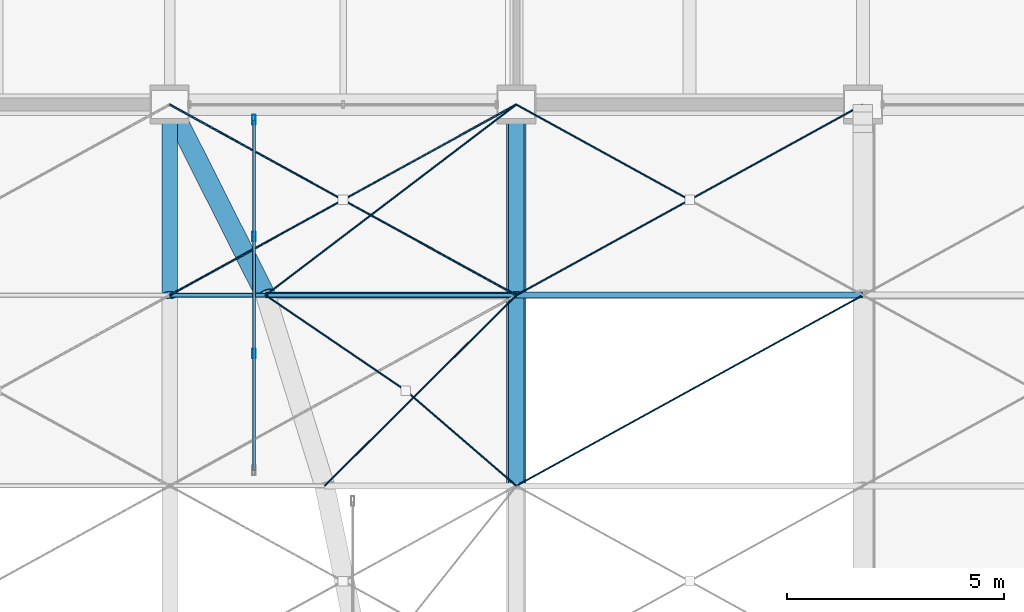
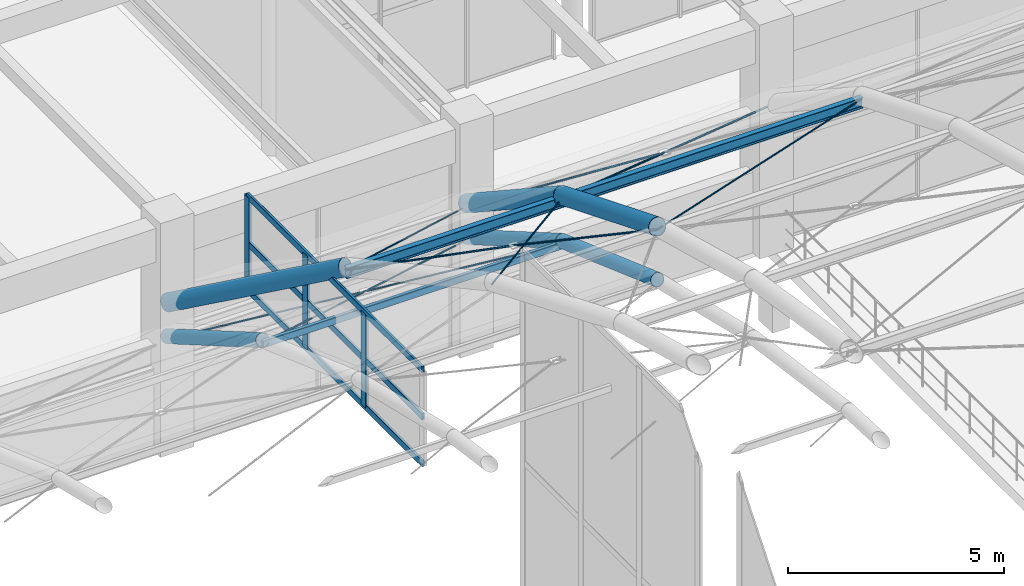
# One storey, part 60 of 163: 16 members, 9 beams, 1 element without a shape of its own.
"""IFC4 building model written with IfcOpenShell, lengths in metres."""

import ifcopenshell
import ifcopenshell.guid

model = None  # the IFC model being written
_history = None  # IfcOwnerHistory: only IFC2X3 demands one
_inside = {}  # id of a spatial element -> (the spatial element, [elements in it])
_under = {}  # id of a project, library or spatial element -> (it, [spatial elements below it])
_declared = {}  # id of a project -> (the project, [libraries it declares])
_typed = {}  # id of a type object -> (the type object, [elements of that type])
_made_of = {}  # id of a material, layer set ... -> (it, [elements and type objects made of it])


def new_model(schema):
    """Start an empty IFC model of exactly this schema.

    Asked for "IFC4X3", IfcOpenShell would pick the latest addendum, in which some entities
    have other attributes; the version numbers below select the first issue.
    IFC2X3 requires an IfcOwnerHistory on every rooted entity: one is made here for all.
    """
    global model, _history
    if schema == "IFC4X3":
        model = ifcopenshell.file(schema_version=(4, 3, 0, 0))
    else:
        model = ifcopenshell.file(schema=schema)
    _inside.clear()
    _under.clear()
    _declared.clear()
    _typed.clear()
    _made_of.clear()
    _history = None
    if model.schema == "IFC2X3":
        org = make("IfcOrganization", Name="unknown")
        user = make(
            "IfcPersonAndOrganization",
            ThePerson=make("IfcPerson", FamilyName="unknown"),
            TheOrganization=org,
        )
        app = make(
            "IfcApplication",
            ApplicationDeveloper=org,
            Version="unknown",
            ApplicationFullName="unknown",
            ApplicationIdentifier="unknown",
        )
        _history = make(
            "IfcOwnerHistory",
            OwningUser=user,
            OwningApplication=app,
            ChangeAction="ADDED",
            CreationDate=0,
        )
    return model


def make(cls, **values):
    """One entity of the class cls with the attributes given. An attribute that is None is left unset."""
    return model.create_entity(
        cls, **{name: value for name, value in values.items() if value is not None}
    )


def rooted(cls, **values):
    """An entity with a GlobalId (a new one), such as an element, a storey or a relation."""
    return make(cls, GlobalId=ifcopenshell.guid.new(), OwnerHistory=_history, **values)


def si_unit(unit_type, name, prefix=None):
    """IfcSIUnit, for example si_unit("LENGTHUNIT", "METRE", prefix="MILLI")."""
    return make("IfcSIUnit", UnitType=unit_type, Prefix=prefix, Name=name)


def assignment(units):
    """IfcUnitAssignment: the units of a project."""
    return None if units is None else make("IfcUnitAssignment", Units=units)


def point(xyz):
    """IfcCartesianPoint."""
    return None if xyz is None else make("IfcCartesianPoint", Coordinates=xyz)


def direction(xyz):
    """IfcDirection."""
    return None if xyz is None else make("IfcDirection", DirectionRatios=xyz)


def frame(location, z_axis=None, x_axis=None):
    """IfcAxis2Placement3D, a coordinate frame: its origin and axes. An axis left out is left unset."""
    return make(
        "IfcAxis2Placement3D",
        Location=point(location),
        Axis=direction(z_axis),
        RefDirection=direction(x_axis),
    )


def frame_2d(location, x_axis=None):
    """IfcAxis2Placement2D, a coordinate frame in the plane: its origin and x axis."""
    return make(
        "IfcAxis2Placement2D", Location=point(location), RefDirection=direction(x_axis)
    )


def origin():
    """The frame at (0, 0, 0) with its axes left unset."""
    return frame((0.0, 0.0, 0.0))


def origin_2d():
    """The frame at (0, 0) in the plane with its x axis left unset."""
    return frame_2d((0.0, 0.0))


def place(relative_to, where):
    """IfcLocalPlacement: puts the frame where relative to a parent placement (None: the world)."""
    return make(
        "IfcLocalPlacement", PlacementRelTo=relative_to, RelativePlacement=where
    )


def context(
    kind, dimensions, precision=None, world=None, true_north=None, identifier=None
):
    """IfcGeometricRepresentationContext, for example the 3D "Model" context."""
    return make(
        "IfcGeometricRepresentationContext",
        ContextIdentifier=identifier,
        ContextType=kind,
        CoordinateSpaceDimension=dimensions,
        Precision=precision,
        WorldCoordinateSystem=world,
        TrueNorth=true_north,
    )


def subcontext(parent, identifier, kind, view, scale=None):
    """IfcGeometricRepresentationSubContext, for example "Body" below "Model"."""
    return make(
        "IfcGeometricRepresentationSubContext",
        ContextIdentifier=identifier,
        ContextType=kind,
        ParentContext=parent,
        TargetScale=scale,
        TargetView=view,
    )


def project(units=None, contexts=None):
    """IfcProject with its units and contexts."""
    return rooted(
        "IfcProject",
        Name="project",
        RepresentationContexts=contexts,
        UnitsInContext=assignment(units),
    )


def spatial(cls, under=None, at=None, **own):
    """A site, building, storey or space (cls), placed at a placement, below another one or the project."""
    s = rooted(cls, ObjectPlacement=at, **own)
    if under is not None:
        _under.setdefault(under.id(), (under, []))[1].append(s)
    return s


def profile(cls, at=None, kind="AREA", **sizes):
    """A parametric profile (cls). Its sizes go by their IFC names, for example OverallWidth=200.0."""
    return make(cls, ProfileType=kind, Position=at, **sizes)


def hollow_rectangle(**sizes):
    """IfcRectangleHollowProfileDef."""
    return profile("IfcRectangleHollowProfileDef", **sizes)


def circle(**sizes):
    """IfcCircleProfileDef."""
    return profile("IfcCircleProfileDef", **sizes)


def hollow_circle(**sizes):
    """IfcCircleHollowProfileDef."""
    return profile("IfcCircleHollowProfileDef", **sizes)


def i_section(**sizes):
    """IfcIShapeProfileDef."""
    return profile("IfcIShapeProfileDef", **sizes)


def extrude(swept, where, along, depth):
    """IfcExtrudedAreaSolid: the profile swept, set in the frame where, extruded along a direction by depth."""
    return make(
        "IfcExtrudedAreaSolid",
        SweptArea=swept,
        Position=where,
        ExtrudedDirection=direction(along),
        Depth=depth,
    )


def shape(context_of_items, identifier, shape_type, items):
    """IfcShapeRepresentation: the items that make up one representation, for example the "Body"."""
    return make(
        "IfcShapeRepresentation",
        ContextOfItems=context_of_items,
        RepresentationIdentifier=identifier,
        RepresentationType=shape_type,
        Items=items,
    )


def material(Name=None, Category=None):
    """IfcMaterial."""
    return make("IfcMaterial", Name=Name, Category=Category)


def material_profile(
    of_material, cross_section, Name=None, Category=None, Priority=None
):
    """IfcMaterialProfile: a cross section and its material."""
    return make(
        "IfcMaterialProfile",
        Name=Name,
        Material=of_material,
        Profile=cross_section,
        Priority=Priority,
        Category=Category,
    )


def profile_set(profiles, Name=None, composite=None):
    """IfcMaterialProfileSet."""
    return make(
        "IfcMaterialProfileSet",
        Name=Name,
        MaterialProfiles=profiles,
        CompositeProfile=composite,
    )


def made_of(thing, what):
    """Note that an element or type object is made of a material, layer set ...; save() writes the relation."""
    if what is not None:
        _made_of.setdefault(what.id(), (what, []))[1].append(thing)
    return thing


def type_object(cls, material=None, **own):
    """A type object (cls), such as IfcWallType, which elements share."""
    return made_of(rooted(cls, **own), material)


def element(
    cls,
    number,
    at=None,
    inside=None,
    cuts=None,
    type_object=None,
    material=None,
    context=None,
    identifier="Body",
    shape_type=None,
    held_by="IfcProductDefinitionShape",
    body=None,
    shapes=None,
    **own,
):
    """One element of the class cls, such as IfcWall. Its Tag is "e" and its number.

    at: its placement. inside: the storey or other place that contains it. cuts: it is an
    opening in that element (IfcRelVoidsElement). A single representation is given by context,
    identifier, shape_type and body (its items); several are given by shapes. held_by: the class
    of the entity that holds the representations. save() writes the other relations.
    """
    e = rooted(cls, Tag="e%d" % number, ObjectPlacement=at, **own)
    if body is not None:
        shapes = [shape(context, identifier, shape_type, body)]
    if shapes is not None:
        e.Representation = make(held_by, Representations=shapes)
    if inside is not None:
        _inside.setdefault(inside.id(), (inside, []))[1].append(e)
    if cuts is not None:
        rooted(
            "IfcRelVoidsElement", RelatingBuildingElement=cuts, RelatedOpeningElement=e
        )
    if type_object is not None:
        _typed.setdefault(type_object.id(), (type_object, []))[1].append(e)
    return made_of(e, material)


def aggregate(whole, parts):
    """IfcRelAggregates: a whole, such as a stair, and the parts it consists of."""
    return rooted("IfcRelAggregates", RelatingObject=whole, RelatedObjects=parts)


def save(model, path):
    """Write the relations noted so far, then the file.

    IfcRelAggregates (storeys below a building ...), IfcRelContainedInSpatialStructure (elements
    in a storey), IfcRelDefinesByType, IfcRelAssociatesMaterial and IfcRelDeclares: one each for
    every whole, place, type object, material and project.
    """
    for whole, parts in _under.values():
        aggregate(whole, parts)
    for where, things in _inside.values():
        rooted(
            "IfcRelContainedInSpatialStructure",
            RelatedElements=things,
            RelatingStructure=where,
        )
    for kind, things in _typed.values():
        rooted("IfcRelDefinesByType", RelatedObjects=things, RelatingType=kind)
    for what, things in _made_of.values():
        rooted("IfcRelAssociatesMaterial", RelatedObjects=things, RelatingMaterial=what)
    for by, libraries in _declared.values():
        rooted("IfcRelDeclares", RelatingContext=by, RelatedDefinitions=libraries)
    model.write(path)


model = new_model("IFC4")

# Units and contexts
model_context = context("Model", 3, precision=1e-05, world=origin(), true_north=direction((0.0, 1.0)))
body_context = subcontext(model_context, "Body", "Model", "MODEL_VIEW")
ifc_project = project(units=[si_unit("LENGTHUNIT", "METRE"), si_unit("AREAUNIT", "SQUARE_METRE"), si_unit("VOLUMEUNIT", "CUBIC_METRE"), si_unit("PLANEANGLEUNIT", "RADIAN"), si_unit("MASSUNIT", "GRAM", prefix="KILO")], contexts=[model_context])

# Site, building, storey
site_placement = place(None, origin())
site = spatial("IfcSite", under=ifc_project, at=site_placement, CompositionType="ELEMENT")
building_placement = place(site_placement, origin())
building = spatial("IfcBuilding", under=site, at=building_placement, Name="Varnabhumi Central Station", CompositionType="ELEMENT")
storey_placement = place(building_placement, frame((0.0, 0.0, 9.60009765625)))
storey = spatial("IfcBuildingStorey", under=building, at=storey_placement, Name="L02", CompositionType="ELEMENT", Elevation=9.60009765625)

# Beams
ifc_material_1 = material(Name="Structural steel E350", Category="steel")
ifc_material_profile_1 = material_profile(ifc_material_1, hollow_circle(Radius=0.177734375, WallThickness=0.012451171875, at=origin_2d()), Name="Structural steel E350", Category="steel")
ifc_profile_set_1 = profile_set([ifc_material_profile_1], Name="Structural steel E350")
beam_type_1 = type_object("IfcBeamType", Name="BM-ARCH-CHS355", PredefinedType="BEAM", material=ifc_profile_set_1)
beam_1_placement = place(storey_placement, frame((40.0, 75.60009765625, 5.554443359375), z_axis=(0.0, 0.86481784928, -0.502085737267), x_axis=(-1.0, 0.0, 0.0)))
element("IfcBeam", 1, at=beam_1_placement, inside=storey, type_object=beam_type_1, Name="Entrance Portico Vault Arch Rib 4 Seg 10", PredefinedType="BEAM", context=body_context, shape_type="SweptSolid", body=[
    extrude(hollow_circle(Radius=0.177734375, WallThickness=0.012451171875, at=origin_2d()), origin(), (0.0, 0.0, 1.0), 5.087646484375),
])
beam_2_placement = place(storey_placement, frame((48.0, 71.199951171875, 7.127685546875), z_axis=(0.0, 0.941622467523, -0.336670653094), x_axis=(-1.0, 0.0, 0.0)))
element("IfcBeam", 2, at=beam_2_placement, inside=storey, type_object=beam_type_1, Name="Entrance Portico Vault Arch Rib 5 Seg 9", PredefinedType="BEAM", context=body_context, shape_type="SweptSolid", body=[
    extrude(hollow_circle(Radius=0.177734375, WallThickness=0.012451171875, at=origin_2d()), origin(), (0.0, 0.0, 1.0), 4.6728515625),
])
beam_3_placement = place(storey_placement, frame((48.0, 75.60009765625, 5.554443359375), z_axis=(0.0, 0.86481784928, -0.502085737267), x_axis=(-1.0, 0.0, 0.0)))
element("IfcBeam", 3, at=beam_3_placement, inside=storey, type_object=beam_type_1, Name="Entrance Portico Vault Arch Rib 5 Seg 10", PredefinedType="BEAM", context=body_context, shape_type="SweptSolid", body=[
    extrude(hollow_circle(Radius=0.177734375, WallThickness=0.012451171875, at=origin_2d()), origin(), (0.0, 0.0, 1.0), 5.087646484375),
])
ifc_material_2 = material(Name="Structural steel E450", Category="steel")
ifc_material_profile_2 = material_profile(ifc_material_2, hollow_circle(Radius=0.228515625, WallThickness=0.01611328125, at=origin_2d()), Name="Structural steel E450", Category="steel")
ifc_profile_set_2 = profile_set([ifc_material_profile_2], Name="Structural steel E450")
beam_type_2 = type_object("IfcBeamType", Name="BM-ARCH-CHS457", PredefinedType="BEAM", material=ifc_profile_set_2)
beam_4_placement = place(storey_placement, frame((42.2138671875, 75.60009765625, 6.844970703125), z_axis=(-0.387495441946, 0.770119414948, -0.506718234516), x_axis=(-0.893294210393, -0.449472417037, 0.0)))
element("IfcBeam", 4, at=beam_4_placement, inside=storey, type_object=beam_type_2, Name="Ticket Hall Vault Arch Rib 1 Seg 10", PredefinedType="BEAM", context=body_context, shape_type="SweptSolid", body=[
    extrude(hollow_circle(Radius=0.228515625, WallThickness=0.01611328125, at=origin_2d()), origin(), (0.0, 0.0, 1.0), 5.71337890625),
])
beam_5_placement = place(storey_placement, frame((48.0, 71.199951171875, 8.6279296875), z_axis=(0.0, 0.926804098242, -0.37554515505), x_axis=(-1.0, 0.0, 0.0)))
element("IfcBeam", 5, at=beam_5_placement, inside=storey, type_object=beam_type_2, Name="Ticket Hall Vault Arch Rib 2 Seg 9", PredefinedType="BEAM", context=body_context, shape_type="SweptSolid", body=[
    extrude(hollow_circle(Radius=0.228515625, WallThickness=0.01611328125, at=origin_2d()), origin(), (0.0, 0.0, 1.0), 4.74755859375),
])
beam_6_placement = place(storey_placement, frame((48.0, 75.60009765625, 6.844970703125), z_axis=(0.0, 0.835386835677, -0.549662473503), x_axis=(-1.0, 0.0, 0.0)))
element("IfcBeam", 6, at=beam_6_placement, inside=storey, type_object=beam_type_2, Name="Ticket Hall Vault Arch Rib 2 Seg 10", PredefinedType="BEAM", context=body_context, shape_type="SweptSolid", body=[
    extrude(hollow_circle(Radius=0.228515625, WallThickness=0.01611328125, at=origin_2d()), origin(), (0.0, 0.0, 1.0), 5.266845703125),
])
ifc_material_profile_3 = material_profile(ifc_material_1, i_section(OverallWidth=0.139892578125, OverallDepth=0.300048828125, WebThickness=0.0078125, FlangeThickness=0.01318359375, FilletRadius=0.013916015625, at=origin_2d()), Name="Structural steel E350", Category="steel")
ifc_profile_set_3 = profile_set([ifc_material_profile_3], Name="Structural steel E350")
beam_type_3 = type_object("IfcBeamType", Name="BM-PUR-ISMB300", PredefinedType="LINTEL", material=ifc_profile_set_3)
beam_7_placement = place(storey_placement, frame((42.2138671875, 75.60009765625, 6.695068359375), z_axis=(1.0, 0.0, 0.0), x_axis=(0.0, 1.0, 0.0)))
element("IfcBeam", 7, at=beam_7_placement, inside=storey, type_object=beam_type_3, Name="Ticket Hall Vault Purlin B1-L9", PredefinedType="LINTEL", context=body_context, shape_type="SweptSolid", body=[
    extrude(i_section(OverallWidth=0.139892578125, OverallDepth=0.300048828125, WebThickness=0.0078125, FlangeThickness=0.01318359375, FilletRadius=0.013916015625, at=origin_2d()), origin(), (0.0, 0.0, 1.0), 5.7861328125),
])
beam_8_placement = place(storey_placement, frame((48.0, 75.60009765625, 6.695068359375), z_axis=(1.0, 0.0, 0.0), x_axis=(0.0, 1.0, 0.0)))
element("IfcBeam", 8, at=beam_8_placement, inside=storey, type_object=beam_type_3, Name="Ticket Hall Vault Purlin B2-L9", PredefinedType="LINTEL", context=body_context, shape_type="SweptSolid", body=[
    extrude(i_section(OverallWidth=0.139892578125, OverallDepth=0.300048828125, WebThickness=0.0078125, FlangeThickness=0.01318359375, FilletRadius=0.013916015625, at=origin_2d()), origin(), (0.0, 0.0, 1.0), 8.0),
])
ifc_material_profile_4 = material_profile(ifc_material_1, hollow_rectangle(XDim=0.10009765625, YDim=0.199951171875, WallThickness=0.008056640625, InnerFilletRadius=0.008056640625, OuterFilletRadius=0.01611328125, at=origin_2d()), Name="Structural steel E350", Category="steel")
ifc_profile_set_4 = profile_set([ifc_material_profile_4], Name="Structural steel E350")
beam_type_4 = type_object("IfcBeamType", Name="BM-PUR-RHS200", PredefinedType="JOIST", material=ifc_profile_set_4)
beam_9_placement = place(storey_placement, frame((40.0, 75.60009765625, 5.454345703125), z_axis=(1.0, 0.0, 0.0), x_axis=(0.0, 1.0, 0.0)))
element("IfcBeam", 9, at=beam_9_placement, inside=storey, type_object=beam_type_4, Name="Entrance Portico Vault Purlin B4-L9", PredefinedType="JOIST", context=body_context, shape_type="SweptSolid", body=[
    extrude(hollow_rectangle(XDim=0.10009765625, YDim=0.199951171875, WallThickness=0.008056640625, InnerFilletRadius=0.008056640625, OuterFilletRadius=0.01611328125, at=origin_2d()), origin(), (0.0, 0.0, 1.0), 8.0),
])

# Curtain wall, members
ifc_material_3 = material(Name="Anodised aluminium 6063-T6", Category="aluminium")
curtain_wall_type = type_object("IfcCurtainWallType", Name="CW-VAULT-ARCH-V3", PredefinedType="NOTDEFINED", material=ifc_material_3)
curtain_wall_placement = place(storey_placement, origin())
curtain_wall = element("IfcCurtainWall", 10, at=curtain_wall_placement, inside=storey, type_object=curtain_wall_type, Name="Curtain Wall CW-V35", PredefinedType="NOTDEFINED")
ifc_material_profile_5 = material_profile(ifc_material_3, hollow_rectangle(XDim=0.074951171875, YDim=0.219970703125, WallThickness=0.0048828125, InnerFilletRadius=0.0009765625, OuterFilletRadius=0.006103515625, at=origin_2d()), Name="Anodised aluminium 6063-T6", Category="aluminium")
ifc_profile_set_5 = profile_set([ifc_material_profile_5], Name="Anodised aluminium 6063-T6")
member_type_1 = type_object("IfcMemberType", Name="CW-MUL-220", PredefinedType="MULLION", material=ifc_profile_set_5)
member_1_placement = place(storey_placement, frame((41.946044921875, 74.25, 3.849853515625), z_axis=(0.0, 0.0, 1.0), x_axis=(1.0, 0.0, 0.0)))
member_1 = element("IfcMember", 11, at=member_1_placement, type_object=member_type_1, Name="Curtain Wall Mullion CW-V35-M2", PredefinedType="MULLION", context=body_context, shape_type="SweptSolid", body=[
    extrude(hollow_rectangle(XDim=0.074951171875, YDim=0.219970703125, WallThickness=0.0048828125, InnerFilletRadius=0.0009765625, OuterFilletRadius=0.006103515625, at=origin_2d()), origin(), (0.0, 0.0, 1.0), 2.645263671875),
])
member_2_placement = place(storey_placement, frame((41.946044921875, 76.949951171875, 3.849853515625), z_axis=(0.0, 0.0, 1.0), x_axis=(1.0, 0.0, 0.0)))
member_2 = element("IfcMember", 12, at=member_2_placement, type_object=member_type_1, Name="Curtain Wall Mullion CW-V35-M3", PredefinedType="MULLION", context=body_context, shape_type="SweptSolid", body=[
    extrude(hollow_rectangle(XDim=0.074951171875, YDim=0.219970703125, WallThickness=0.0048828125, InnerFilletRadius=0.0009765625, OuterFilletRadius=0.006103515625, at=origin_2d()), origin(), (0.0, 0.0, 1.0), 2.645263671875),
])
member_3_placement = place(storey_placement, frame((41.946044921875, 79.64990234375, 3.849853515625), z_axis=(0.0, 0.0, 1.0), x_axis=(1.0, 0.0, 0.0)))
member_3 = element("IfcMember", 13, at=member_3_placement, type_object=member_type_1, Name="Curtain Wall Mullion CW-V35-M4", PredefinedType="MULLION", context=body_context, shape_type="SweptSolid", body=[
    extrude(hollow_rectangle(XDim=0.074951171875, YDim=0.219970703125, WallThickness=0.0048828125, InnerFilletRadius=0.0009765625, OuterFilletRadius=0.006103515625, at=origin_2d()), origin(), (0.0, 0.0, 1.0), 2.645263671875),
])
ifc_material_profile_6 = material_profile(ifc_material_3, hollow_rectangle(XDim=0.06494140625, YDim=0.179931640625, WallThickness=0.00390625, InnerFilletRadius=0.001953125, OuterFilletRadius=0.006103515625, at=origin_2d()), Name="Anodised aluminium 6063-T6", Category="aluminium")
ifc_profile_set_6 = profile_set([ifc_material_profile_6], Name="Anodised aluminium 6063-T6")
member_type_2 = type_object("IfcMemberType", Name="CW-TR-180", PredefinedType="USERDEFINED", material=ifc_profile_set_6)
member_4_placement = place(storey_placement, frame((41.946044921875, 71.550048828125, 3.849853515625), z_axis=(0.0, 1.0, 0.0), x_axis=(-1.0, 0.0, 0.0)))
member_4 = element("IfcMember", 14, at=member_4_placement, type_object=member_type_2, Name="Curtain Wall Transom CW-V35-T1", ObjectType="TRANSOM", PredefinedType="USERDEFINED", context=body_context, shape_type="SweptSolid", body=[
    extrude(hollow_rectangle(XDim=0.06494140625, YDim=0.179931640625, WallThickness=0.00390625, InnerFilletRadius=0.001953125, OuterFilletRadius=0.006103515625, at=origin_2d()), origin(), (0.0, 0.0, 1.0), 8.099853515625),
])
member_5_placement = place(storey_placement, frame((41.946044921875, 71.550048828125, 5.17236328125), z_axis=(0.0, 1.0, 0.0), x_axis=(-1.0, 0.0, 0.0)))
member_5 = element("IfcMember", 15, at=member_5_placement, type_object=member_type_2, Name="Curtain Wall Transom CW-V35-T2", ObjectType="TRANSOM", PredefinedType="USERDEFINED", context=body_context, shape_type="SweptSolid", body=[
    extrude(hollow_rectangle(XDim=0.06494140625, YDim=0.179931640625, WallThickness=0.00390625, InnerFilletRadius=0.001953125, OuterFilletRadius=0.006103515625, at=origin_2d()), origin(), (0.0, 0.0, 1.0), 8.099853515625),
])
member_6_placement = place(storey_placement, frame((41.946044921875, 71.550048828125, 6.4951171875), z_axis=(0.0, 1.0, 0.0), x_axis=(-1.0, 0.0, 0.0)))
member_6 = element("IfcMember", 16, at=member_6_placement, type_object=member_type_2, Name="Curtain Wall Transom CW-V35-T3", ObjectType="TRANSOM", PredefinedType="USERDEFINED", context=body_context, shape_type="SweptSolid", body=[
    extrude(hollow_rectangle(XDim=0.06494140625, YDim=0.179931640625, WallThickness=0.00390625, InnerFilletRadius=0.001953125, OuterFilletRadius=0.006103515625, at=origin_2d()), origin(), (0.0, 0.0, 1.0), 8.099853515625),
])
aggregate(curtain_wall, [member_1, member_2, member_3, member_4, member_5, member_6])

# Members
ifc_material_4 = material(Name="Spiral-strand steel S1570", Category="steel")
ifc_material_profile_7 = material_profile(ifc_material_4, circle(Radius=0.01806640625, at=origin_2d()), Name="Spiral-strand steel S1570", Category="steel")
ifc_profile_set_7 = profile_set([ifc_material_profile_7], Name="Spiral-strand steel S1570")
member_type_3 = type_object("IfcMemberType", Name="MBR-CABLE-D36", PredefinedType="USERDEFINED", material=ifc_profile_set_7)
member_7_placement = place(storey_placement, frame((40.0, 75.60009765625, 5.474365234375), z_axis=(0.843816502733, 0.464088776008, -0.269435182742), x_axis=(-0.481910537812, 0.876220425204, 0.0)))
element("IfcMember", 17, at=member_7_placement, inside=storey, type_object=member_type_3, Name="Entrance Portico Vault Cable-Net Tie B4-P10A", ObjectType="TENSION CABLE", PredefinedType="USERDEFINED", context=body_context, shape_type="SweptSolid", body=[
    extrude(circle(Radius=0.01806640625, at=origin_2d()), origin(), (0.0, 0.0, 1.0), 9.480712890625),
])
member_8_placement = place(storey_placement, frame((40.0, 80.0, 2.919921875), z_axis=(0.843810647871, -0.464085555906, 0.26945906431), x_axis=(0.481910537812, 0.876220425204, 0.0)))
element("IfcMember", 18, at=member_8_placement, inside=storey, type_object=member_type_3, Name="Entrance Portico Vault Cable-Net Split Tie B4-P10B1", ObjectType="TENSION CABLE", PredefinedType="USERDEFINED", context=body_context, shape_type="SweptSolid", body=[
    extrude(circle(Radius=0.01806640625, at=origin_2d()), origin(), (0.0, 0.0, 1.0), 4.740478515625),
])
member_9_placement = place(storey_placement, frame((44.0, 77.800048828125, 4.197265625), z_axis=(0.843822357156, -0.46409199587, 0.269411300677), x_axis=(0.481910537812, 0.876220425204, 0.0)))
element("IfcMember", 19, at=member_9_placement, inside=storey, type_object=member_type_3, Name="Entrance Portico Vault Cable-Net Split Tie B4-P10B2", ObjectType="TENSION CABLE", PredefinedType="USERDEFINED", context=body_context, shape_type="SweptSolid", body=[
    extrude(circle(Radius=0.01806640625, at=origin_2d()), origin(), (0.0, 0.0, 1.0), 4.740234375),
])
ifc_material_profile_8 = material_profile(ifc_material_4, circle(Radius=0.02099609375, at=origin_2d()), Name="Spiral-strand steel S1570", Category="steel")
ifc_profile_set_8 = profile_set([ifc_material_profile_8], Name="Spiral-strand steel S1570")
member_type_4 = type_object("IfcMemberType", Name="MBR-CABLE-D42", PredefinedType="USERDEFINED", material=ifc_profile_set_8)
member_10_placement = place(storey_placement, frame((43.577392578125, 71.199951171875, 8.5478515625), z_axis=(0.681614703944, 0.678153011823, -0.274790625609), x_axis=(-0.705304345535, 0.708904634044, 0.0)))
element("IfcMember", 20, at=member_10_placement, inside=storey, type_object=member_type_4, Name="Ticket Hall Vault Cable-Net Tie B1-P9A", ObjectType="TENSION CABLE", PredefinedType="USERDEFINED", context=body_context, shape_type="SweptSolid", body=[
    extrude(circle(Radius=0.02099609375, at=origin_2d()), origin(), (0.0, 0.0, 1.0), 6.488525390625),
])
member_11_placement = place(storey_placement, frame((42.2138671875, 75.60009765625, 6.764892578125), z_axis=(0.806111312969, -0.548442937677, 0.222249623657), x_axis=(0.562511463414, 0.826789485617, 0.0)))
element("IfcMember", 21, at=member_11_placement, inside=storey, type_object=member_type_4, Name="Ticket Hall Vault Cable-Net Split Tie B1-P9B1", ObjectType="TENSION CABLE", PredefinedType="USERDEFINED", context=body_context, shape_type="SweptSolid", body=[
    extrude(circle(Radius=0.02099609375, at=origin_2d()), origin(), (0.0, 0.0, 1.0), 4.01171875),
])
member_12_placement = place(storey_placement, frame((45.44775390625, 73.39990234375, 7.656494140625), z_axis=(0.732260232334, -0.631183944286, 0.255737718409), x_axis=(0.652895188911, 0.757448263775, 0.0)))
element("IfcMember", 22, at=member_12_placement, inside=storey, type_object=member_type_4, Name="Ticket Hall Vault Cable-Net Split Tie B1-P9B2", ObjectType="TENSION CABLE", PredefinedType="USERDEFINED", context=body_context, shape_type="SweptSolid", body=[
    extrude(circle(Radius=0.02099609375, at=origin_2d()), origin(), (0.0, 0.0, 1.0), 3.4853515625),
])
member_13_placement = place(storey_placement, frame((42.2138671875, 75.60009765625, 6.764892578125), z_axis=(0.739508402459, 0.562338414731, -0.370003824319), x_axis=(-0.605296142156, 0.796000364504, 0.0)))
element("IfcMember", 23, at=member_13_placement, inside=storey, type_object=member_type_4, Name="Ticket Hall Vault Cable-Net Tie B1-P10A", ObjectType="TENSION CABLE", PredefinedType="USERDEFINED", context=body_context, shape_type="SweptSolid", body=[
    extrude(circle(Radius=0.02099609375, at=origin_2d()), origin(), (0.0, 0.0, 1.0), 7.82421875),
])
member_14_placement = place(storey_placement, frame((48.0, 71.199951171875, 8.5478515625), z_axis=(0.859965363866, 0.472996696562, -0.19166037147), x_axis=(-0.481931067474, 0.876209133828, 0.0)))
element("IfcMember", 24, at=member_14_placement, inside=storey, type_object=member_type_4, Name="Ticket Hall Vault Cable-Net Tie B2-P9A", ObjectType="TENSION CABLE", PredefinedType="USERDEFINED", context=body_context, shape_type="SweptSolid", body=[
    extrude(circle(Radius=0.02099609375, at=origin_2d()), origin(), (0.0, 0.0, 1.0), 9.302734375),
])
member_15_placement = place(storey_placement, frame((48.0, 75.60009765625, 6.764892578125), z_axis=(0.8352374511, 0.459370402335, -0.302253591771), x_axis=(-0.481910537812, 0.876220425204, 0.0)))
element("IfcMember", 25, at=member_15_placement, inside=storey, type_object=member_type_4, Name="Ticket Hall Vault Cable-Net Tie B2-P10A", ObjectType="TENSION CABLE", PredefinedType="USERDEFINED", context=body_context, shape_type="SweptSolid", body=[
    extrude(circle(Radius=0.02099609375, at=origin_2d()), origin(), (0.0, 0.0, 1.0), 9.578125),
])
member_16_placement = place(storey_placement, frame((48.0, 80.0, 3.869873046875), z_axis=(0.8352374511, -0.459370402335, 0.302253591771), x_axis=(0.481910537812, 0.876220425204, 0.0)))
element("IfcMember", 26, at=member_16_placement, inside=storey, type_object=member_type_4, Name="Ticket Hall Vault Cable-Net Split Tie B2-P10B1", ObjectType="TENSION CABLE", PredefinedType="USERDEFINED", context=body_context, shape_type="SweptSolid", body=[
    extrude(circle(Radius=0.02099609375, at=origin_2d()), origin(), (0.0, 0.0, 1.0), 4.7890625),
])

save(model, "model.ifc")
